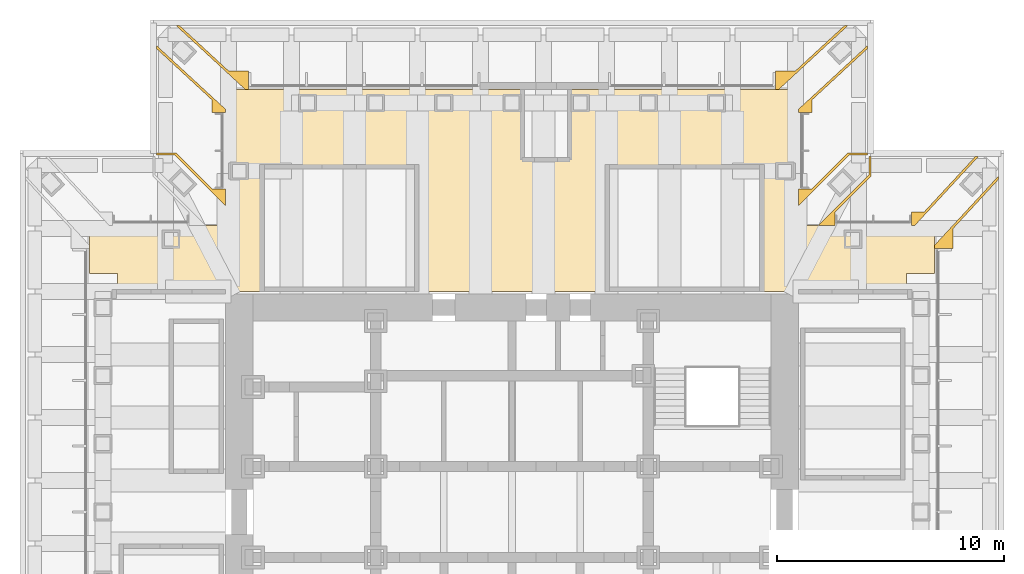
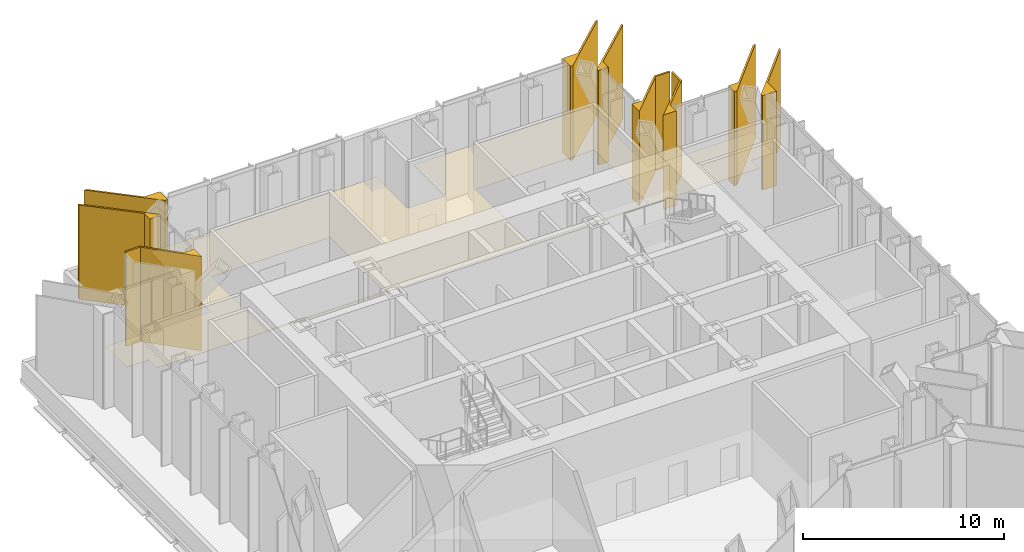
# One storey, part 13 of 13: 10 coverings.
"""IFC4 building model written with IfcOpenShell, lengths in metres."""

from ifc_helpers import new_model, si_unit, direction, frame, origin, place, context, subcontext, project, spatial, polyline, outline, extrude, material, layer, layer_set, type_object, element, save


model = new_model("IFC4")

# Units and contexts
model_context = context("Model", 3, precision=1e-05, world=origin(), true_north=direction((0.0, 1.0)))
body_context = subcontext(model_context, "Body", "Model", "MODEL_VIEW")
ifc_project = project(units=[si_unit("LENGTHUNIT", "METRE"), si_unit("AREAUNIT", "SQUARE_METRE"), si_unit("VOLUMEUNIT", "CUBIC_METRE"), si_unit("PLANEANGLEUNIT", "RADIAN"), si_unit("MASSUNIT", "GRAM", prefix="KILO")], contexts=[model_context])

# Site, building, storey
site_placement = place(None, origin())
site = spatial("IfcSite", under=ifc_project, at=site_placement, CompositionType="ELEMENT")
building_placement = place(site_placement, origin())
building = spatial("IfcBuilding", under=site, at=building_placement, Name="Daluyong Arena Tower", CompositionType="ELEMENT")
storey_placement = place(building_placement, frame((0.0, 0.0, 279.699951171875)))
storey = spatial("IfcBuildingStorey", under=building, at=storey_placement, Name="L63", CompositionType="ELEMENT", Elevation=279.699951171875)

# Coverings
ifc_material_1 = material(Name="Mineral fibre ceiling tile", Category="gypsum board")
ifc_layer_1 = layer(ifc_material_1, 0.02001953125)
ifc_layer_set_1 = layer_set([ifc_layer_1], Name="Mineral fibre ceiling tile")
covering_type_1 = type_object("IfcCoveringType", Name="Office ceiling", PredefinedType="CEILING", material=ifc_layer_set_1)
covering_1_placement = place(storey_placement, frame((0.0, 0.0, 2.900146484375)))
element("IfcCovering", 1, at=covering_1_placement, inside=storey, type_object=covering_type_1, Name="ceiling L63-10", PredefinedType="CEILING", context=body_context, shape_type="SweptSolid", body=[
    extrude(outline(polyline([(37.39990234375, 90.5), (38.64990234375, 90.5), (38.64990234375, 89.699951171875), (73.35009765625, 89.699951171875), (73.35009765625, 90.5), (74.60009765625, 90.5), (74.60009765625, 92.60009765625), (68.60009765625, 92.60009765625), (68.60009765625, 98.60009765625), (58.550048828125, 98.60009765625), (58.550048828125, 95.5), (56.449951171875, 95.5), (56.449951171875, 98.60009765625), (43.39990234375, 98.60009765625), (43.39990234375, 92.60009765625), (37.39990234375, 92.60009765625), (37.39990234375, 90.5)]), holes=[polyline([(51.800048828125, 89.800048828125), (45.0, 89.800048828125), (45.0, 95.199951171875), (51.800048828125, 95.199951171875), (51.800048828125, 89.800048828125)]), polyline([(60.199951171875, 89.800048828125), (60.199951171875, 95.199951171875), (67.0, 95.199951171875), (67.0, 89.800048828125), (60.199951171875, 89.800048828125)])]), origin(), (0.0, 0.0, 1.0), 0.02001953125),
])
ifc_material_2 = material(Name="Bronze anodised aluminium cladding", Category="aluminium")
ifc_layer_2 = layer(ifc_material_2, 0.10009765625)
ifc_layer_set_2 = layer_set([ifc_layer_2], Name="Bronze anodised aluminium cladding")
covering_type_2 = type_object("IfcCoveringType", Name="Transition column casing 100", PredefinedType="CLADDING", material=ifc_layer_set_2)
covering_2_placement = place(storey_placement, origin())
element("IfcCovering", 2, at=covering_2_placement, inside=storey, type_object=covering_type_2, Name="transition column casing L63 1", PredefinedType="CLADDING", context=body_context, shape_type="SweptSolid", body=[
    extrude(outline(polyline([(73.570556640625, 92.60009765625), (73.570556640625, 93.199951171875), (74.13427734375, 93.199951171875), (76.39599609375, 95.64990234375), (76.531982421875, 95.64990234375), (73.716552734375, 92.60009765625), (73.570556640625, 92.60009765625)])), origin(), (0.0, 0.0, 1.0), 5.75),
])
covering_3_placement = place(storey_placement, origin())
element("IfcCovering", 3, at=covering_3_placement, inside=storey, type_object=covering_type_2, Name="transition column casing L63 2", PredefinedType="CLADDING", context=body_context, shape_type="SweptSolid", body=[
    extrude(outline(polyline([(75.39990234375, 92.462158203125), (75.39990234375, 91.58544921875), (74.60009765625, 91.58544921875), (74.60009765625, 91.742919921875), (77.39990234375, 94.7763671875), (77.39990234375, 94.62890625), (75.39990234375, 92.462158203125)])), origin(), (0.0, 0.0, 1.0), 5.75),
])
covering_4_placement = place(storey_placement, origin())
element("IfcCovering", 4, at=covering_4_placement, inside=storey, type_object=covering_type_2, Name="transition column casing L63 1", PredefinedType="CLADDING", context=body_context, shape_type="SweptSolid", body=[
    extrude(outline(polyline([(68.60009765625, 94.22216796875), (69.199951171875, 94.22216796875), (69.199951171875, 94.212158203125), (70.787841796875, 95.800048828125), (71.64990234375, 95.800048828125), (71.64990234375, 95.699951171875), (70.829345703125, 95.699951171875), (68.60009765625, 93.470703125), (68.60009765625, 94.22216796875)])), origin(), (0.0, 0.0, 1.0), 5.75),
])
covering_5_placement = place(storey_placement, origin())
element("IfcCovering", 5, at=covering_5_placement, inside=storey, type_object=covering_type_2, Name="transition column casing L63 2", PredefinedType="CLADDING", context=body_context, shape_type="SweptSolid", body=[
    extrude(outline(polyline([(71.800048828125, 94.787841796875), (70.212158203125, 93.199951171875), (70.22216796875, 93.199951171875), (70.22216796875, 92.60009765625), (69.470703125, 92.60009765625), (71.699951171875, 94.829345703125), (71.699951171875, 95.64990234375), (71.800048828125, 95.64990234375), (71.800048828125, 94.787841796875)])), origin(), (0.0, 0.0, 1.0), 5.75),
])
covering_6_placement = place(storey_placement, origin())
element("IfcCovering", 6, at=covering_6_placement, inside=storey, type_object=covering_type_2, Name="transition column casing L63 1", PredefinedType="CLADDING", context=body_context, shape_type="SweptSolid", body=[
    extrude(outline(polyline([(67.58544921875, 98.60009765625), (67.58544921875, 99.39990234375), (68.462158203125, 99.39990234375), (70.62890625, 101.39990234375), (70.7763671875, 101.39990234375), (67.742919921875, 98.60009765625), (67.58544921875, 98.60009765625)])), origin(), (0.0, 0.0, 1.0), 5.75),
])
covering_7_placement = place(storey_placement, origin())
element("IfcCovering", 7, at=covering_7_placement, inside=storey, type_object=covering_type_2, Name="transition column casing L63 2", PredefinedType="CLADDING", context=body_context, shape_type="SweptSolid", body=[
    extrude(outline(polyline([(69.199951171875, 98.13427734375), (69.199951171875, 97.570556640625), (68.60009765625, 97.570556640625), (68.60009765625, 97.716552734375), (71.64990234375, 100.531982421875), (71.64990234375, 100.39599609375), (69.199951171875, 98.13427734375)])), origin(), (0.0, 0.0, 1.0), 5.75),
])
covering_8_placement = place(storey_placement, origin())
element("IfcCovering", 8, at=covering_8_placement, inside=storey, type_object=covering_type_2, Name="transition column casing L63 1", PredefinedType="CLADDING", context=body_context, shape_type="SweptSolid", body=[
    extrude(outline(polyline([(43.39990234375, 97.716552734375), (43.39990234375, 97.570556640625), (42.800048828125, 97.570556640625), (42.800048828125, 98.13427734375), (40.35009765625, 100.39599609375), (40.35009765625, 100.531982421875), (43.39990234375, 97.716552734375)])), origin(), (0.0, 0.0, 1.0), 5.75),
])
covering_9_placement = place(storey_placement, origin())
element("IfcCovering", 9, at=covering_9_placement, inside=storey, type_object=covering_type_2, Name="transition column casing L63 2", PredefinedType="CLADDING", context=body_context, shape_type="SweptSolid", body=[
    extrude(outline(polyline([(43.537841796875, 99.39990234375), (44.41455078125, 99.39990234375), (44.41455078125, 98.60009765625), (44.257080078125, 98.60009765625), (41.2236328125, 101.39990234375), (41.37109375, 101.39990234375), (43.537841796875, 99.39990234375)])), origin(), (0.0, 0.0, 1.0), 5.75),
])
covering_10_placement = place(storey_placement, origin())
element("IfcCovering", 10, at=covering_10_placement, inside=storey, type_object=covering_type_2, Name="transition column casing L63 2", PredefinedType="CLADDING", context=body_context, shape_type="SweptSolid", body=[
    extrude(outline(polyline([(41.212158203125, 95.800048828125), (42.800048828125, 94.212158203125), (42.800048828125, 94.22216796875), (43.39990234375, 94.22216796875), (43.39990234375, 93.470703125), (41.170654296875, 95.699951171875), (40.35009765625, 95.699951171875), (40.35009765625, 95.800048828125), (41.212158203125, 95.800048828125)])), origin(), (0.0, 0.0, 1.0), 5.75),
])

save(model, "model.ifc")
